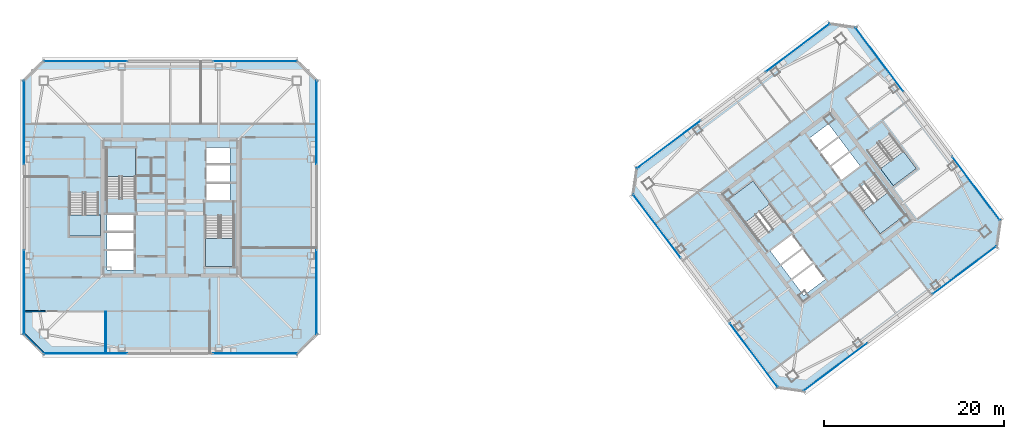
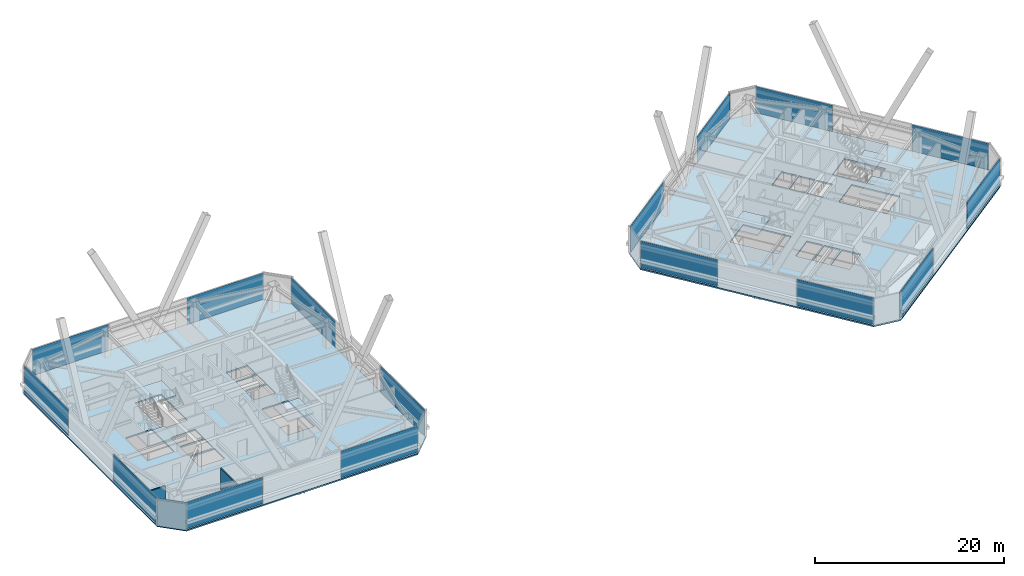
# One storey, part 36 of 47: 16 plates, 8 slabs, 3 walls, 22 elements without a shape of their own.
"""IFC4 building model written with IfcOpenShell, lengths in metres."""

import ifcopenshell
import ifcopenshell.guid

model = None  # the IFC model being written
_history = None  # IfcOwnerHistory: only IFC2X3 demands one
_inside = {}  # id of a spatial element -> (the spatial element, [elements in it])
_under = {}  # id of a project, library or spatial element -> (it, [spatial elements below it])
_declared = {}  # id of a project -> (the project, [libraries it declares])
_typed = {}  # id of a type object -> (the type object, [elements of that type])
_made_of = {}  # id of a material, layer set ... -> (it, [elements and type objects made of it])


def new_model(schema):
    """Start an empty IFC model of exactly this schema.

    Asked for "IFC4X3", IfcOpenShell would pick the latest addendum, in which some entities
    have other attributes; the version numbers below select the first issue.
    IFC2X3 requires an IfcOwnerHistory on every rooted entity: one is made here for all.
    """
    global model, _history
    if schema == "IFC4X3":
        model = ifcopenshell.file(schema_version=(4, 3, 0, 0))
    else:
        model = ifcopenshell.file(schema=schema)
    _inside.clear()
    _under.clear()
    _declared.clear()
    _typed.clear()
    _made_of.clear()
    _history = None
    if model.schema == "IFC2X3":
        org = make("IfcOrganization", Name="unknown")
        user = make(
            "IfcPersonAndOrganization",
            ThePerson=make("IfcPerson", FamilyName="unknown"),
            TheOrganization=org,
        )
        app = make(
            "IfcApplication",
            ApplicationDeveloper=org,
            Version="unknown",
            ApplicationFullName="unknown",
            ApplicationIdentifier="unknown",
        )
        _history = make(
            "IfcOwnerHistory",
            OwningUser=user,
            OwningApplication=app,
            ChangeAction="ADDED",
            CreationDate=0,
        )
    return model


def make(cls, **values):
    """One entity of the class cls with the attributes given. An attribute that is None is left unset."""
    return model.create_entity(
        cls, **{name: value for name, value in values.items() if value is not None}
    )


def rooted(cls, **values):
    """An entity with a GlobalId (a new one), such as an element, a storey or a relation."""
    return make(cls, GlobalId=ifcopenshell.guid.new(), OwnerHistory=_history, **values)


def si_unit(unit_type, name, prefix=None):
    """IfcSIUnit, for example si_unit("LENGTHUNIT", "METRE", prefix="MILLI")."""
    return make("IfcSIUnit", UnitType=unit_type, Prefix=prefix, Name=name)


def assignment(units):
    """IfcUnitAssignment: the units of a project."""
    return None if units is None else make("IfcUnitAssignment", Units=units)


def point(xyz):
    """IfcCartesianPoint."""
    return None if xyz is None else make("IfcCartesianPoint", Coordinates=xyz)


def direction(xyz):
    """IfcDirection."""
    return None if xyz is None else make("IfcDirection", DirectionRatios=xyz)


def frame(location, z_axis=None, x_axis=None):
    """IfcAxis2Placement3D, a coordinate frame: its origin and axes. An axis left out is left unset."""
    return make(
        "IfcAxis2Placement3D",
        Location=point(location),
        Axis=direction(z_axis),
        RefDirection=direction(x_axis),
    )


def frame_2d(location, x_axis=None):
    """IfcAxis2Placement2D, a coordinate frame in the plane: its origin and x axis."""
    return make(
        "IfcAxis2Placement2D", Location=point(location), RefDirection=direction(x_axis)
    )


def origin():
    """The frame at (0, 0, 0) with its axes left unset."""
    return frame((0.0, 0.0, 0.0))


def origin_2d():
    """The frame at (0, 0) in the plane with its x axis left unset."""
    return frame_2d((0.0, 0.0))


def place(relative_to, where):
    """IfcLocalPlacement: puts the frame where relative to a parent placement (None: the world)."""
    return make(
        "IfcLocalPlacement", PlacementRelTo=relative_to, RelativePlacement=where
    )


def context(
    kind, dimensions, precision=None, world=None, true_north=None, identifier=None
):
    """IfcGeometricRepresentationContext, for example the 3D "Model" context."""
    return make(
        "IfcGeometricRepresentationContext",
        ContextIdentifier=identifier,
        ContextType=kind,
        CoordinateSpaceDimension=dimensions,
        Precision=precision,
        WorldCoordinateSystem=world,
        TrueNorth=true_north,
    )


def subcontext(parent, identifier, kind, view, scale=None):
    """IfcGeometricRepresentationSubContext, for example "Body" below "Model"."""
    return make(
        "IfcGeometricRepresentationSubContext",
        ContextIdentifier=identifier,
        ContextType=kind,
        ParentContext=parent,
        TargetScale=scale,
        TargetView=view,
    )


def project(units=None, contexts=None):
    """IfcProject with its units and contexts."""
    return rooted(
        "IfcProject",
        Name="project",
        RepresentationContexts=contexts,
        UnitsInContext=assignment(units),
    )


def spatial(cls, under=None, at=None, **own):
    """A site, building, storey or space (cls), placed at a placement, below another one or the project."""
    s = rooted(cls, ObjectPlacement=at, **own)
    if under is not None:
        _under.setdefault(under.id(), (under, []))[1].append(s)
    return s


def polyline(points):
    """IfcPolyline through the points."""
    return make("IfcPolyline", Points=[point(p) for p in points])


def profile(cls, at=None, kind="AREA", **sizes):
    """A parametric profile (cls). Its sizes go by their IFC names, for example OverallWidth=200.0."""
    return make(cls, ProfileType=kind, Position=at, **sizes)


def rectangle(**sizes):
    """IfcRectangleProfileDef."""
    return profile("IfcRectangleProfileDef", **sizes)


def outline(outer, holes=None, kind="AREA"):
    """IfcArbitraryClosedProfileDef: a profile drawn as a closed curve; with holes, ...WithVoids."""
    if holes is None:
        return make("IfcArbitraryClosedProfileDef", ProfileType=kind, OuterCurve=outer)
    return make(
        "IfcArbitraryProfileDefWithVoids",
        ProfileType=kind,
        OuterCurve=outer,
        InnerCurves=holes,
    )


def extrude(swept, where, along, depth):
    """IfcExtrudedAreaSolid: the profile swept, set in the frame where, extruded along a direction by depth."""
    return make(
        "IfcExtrudedAreaSolid",
        SweptArea=swept,
        Position=where,
        ExtrudedDirection=direction(along),
        Depth=depth,
    )


def shape(context_of_items, identifier, shape_type, items):
    """IfcShapeRepresentation: the items that make up one representation, for example the "Body"."""
    return make(
        "IfcShapeRepresentation",
        ContextOfItems=context_of_items,
        RepresentationIdentifier=identifier,
        RepresentationType=shape_type,
        Items=items,
    )


def material(Name=None, Category=None):
    """IfcMaterial."""
    return make("IfcMaterial", Name=Name, Category=Category)


def layer(
    of_material, thickness, ventilated=None, Name=None, Category=None, Priority=None
):
    """IfcMaterialLayer: one layer of a wall or slab, of a material (None: an air gap)."""
    return make(
        "IfcMaterialLayer",
        Material=of_material,
        LayerThickness=thickness,
        IsVentilated=ventilated,
        Name=Name,
        Category=Category,
        Priority=Priority,
    )


def layer_set(layers, Name=None):
    """IfcMaterialLayerSet."""
    return make("IfcMaterialLayerSet", MaterialLayers=layers, LayerSetName=Name)


def made_of(thing, what):
    """Note that an element or type object is made of a material, layer set ...; save() writes the relation."""
    if what is not None:
        _made_of.setdefault(what.id(), (what, []))[1].append(thing)
    return thing


def type_object(cls, material=None, **own):
    """A type object (cls), such as IfcWallType, which elements share."""
    return made_of(rooted(cls, **own), material)


def element(
    cls,
    number,
    at=None,
    inside=None,
    cuts=None,
    type_object=None,
    material=None,
    context=None,
    identifier="Body",
    shape_type=None,
    held_by="IfcProductDefinitionShape",
    body=None,
    shapes=None,
    **own,
):
    """One element of the class cls, such as IfcWall. Its Tag is "e" and its number.

    at: its placement. inside: the storey or other place that contains it. cuts: it is an
    opening in that element (IfcRelVoidsElement). A single representation is given by context,
    identifier, shape_type and body (its items); several are given by shapes. held_by: the class
    of the entity that holds the representations. save() writes the other relations.
    """
    e = rooted(cls, Tag="e%d" % number, ObjectPlacement=at, **own)
    if body is not None:
        shapes = [shape(context, identifier, shape_type, body)]
    if shapes is not None:
        e.Representation = make(held_by, Representations=shapes)
    if inside is not None:
        _inside.setdefault(inside.id(), (inside, []))[1].append(e)
    if cuts is not None:
        rooted(
            "IfcRelVoidsElement", RelatingBuildingElement=cuts, RelatedOpeningElement=e
        )
    if type_object is not None:
        _typed.setdefault(type_object.id(), (type_object, []))[1].append(e)
    return made_of(e, material)


def aggregate(whole, parts):
    """IfcRelAggregates: a whole, such as a stair, and the parts it consists of."""
    return rooted("IfcRelAggregates", RelatingObject=whole, RelatedObjects=parts)


def save(model, path):
    """Write the relations noted so far, then the file.

    IfcRelAggregates (storeys below a building ...), IfcRelContainedInSpatialStructure (elements
    in a storey), IfcRelDefinesByType, IfcRelAssociatesMaterial and IfcRelDeclares: one each for
    every whole, place, type object, material and project.
    """
    for whole, parts in _under.values():
        aggregate(whole, parts)
    for where, things in _inside.values():
        rooted(
            "IfcRelContainedInSpatialStructure",
            RelatedElements=things,
            RelatingStructure=where,
        )
    for kind, things in _typed.values():
        rooted("IfcRelDefinesByType", RelatedObjects=things, RelatingType=kind)
    for what, things in _made_of.values():
        rooted("IfcRelAssociatesMaterial", RelatedObjects=things, RelatingMaterial=what)
    for by, libraries in _declared.values():
        rooted("IfcRelDeclares", RelatingContext=by, RelatedDefinitions=libraries)
    model.write(path)


model = new_model("IFC4")

# Units and contexts
model_context = context("Model", 3, precision=1e-05, world=origin(), true_north=direction((0.0, 1.0)))
body_context = subcontext(model_context, "Body", "Model", "MODEL_VIEW")
ifc_project = project(units=[si_unit("LENGTHUNIT", "METRE"), si_unit("AREAUNIT", "SQUARE_METRE"), si_unit("VOLUMEUNIT", "CUBIC_METRE"), si_unit("PLANEANGLEUNIT", "RADIAN"), si_unit("MASSUNIT", "GRAM", prefix="KILO")], contexts=[model_context])

# Site, building, storey
site_placement = place(None, origin())
site = spatial("IfcSite", under=ifc_project, at=site_placement, CompositionType="ELEMENT")
building_placement = place(site_placement, origin())
building = spatial("IfcBuilding", under=site, at=building_placement, Name="Tashvorn Skyway Center", CompositionType="ELEMENT")
storey_placement = place(building_placement, frame((0.0, 0.0, 204.199951171875)))
storey = spatial("IfcBuildingStorey", under=building, at=storey_placement, Name="L55", CompositionType="ELEMENT", Elevation=204.199951171875)

# Curtain wall, plate
ifc_material_1 = material(Name="Thermally broken bronze-anodized aluminium 6063-T6", Category="aluminium")
curtain_wall_type = type_object("IfcCurtainWallType", Name="CW-CW-Z5", PredefinedType="NOTDEFINED", material=ifc_material_1)
curtain_wall_1_placement = place(storey_placement, origin())
curtain_wall_1 = element("IfcCurtainWall", 1, at=curtain_wall_1_placement, inside=storey, type_object=curtain_wall_type, Name="Tower 1 L55 South Unitised Curtain Wall Glazing Group 1", PredefinedType="NOTDEFINED")
ifc_material_2 = material(Name="Low-E solar-control double insulating safety glass", Category="glass")
ifc_layer_1 = layer(ifc_material_2, 0.031982421875)
ifc_layer_set_1 = layer_set([ifc_layer_1], Name="Low-E solar-control double insulating safety glass")
plate_type = type_object("IfcPlateType", Name="CWP-CW-Z5", PredefinedType="CURTAIN_PANEL", material=ifc_layer_set_1)
plate_1_placement = place(storey_placement, frame((51.453369140625, 15.719970703125, 0.0703125), z_axis=(0.0, 0.0, 1.0), x_axis=(-1.0, 0.0, 0.0)))
plate_1 = element("IfcPlate", 2, at=plate_1_placement, type_object=plate_type, Name="CW-Z5 panel 1.1", PredefinedType="CURTAIN_PANEL", context=body_context, shape_type="SweptSolid", body=[
    extrude(rectangle(XDim=9.313232421875, YDim=0.031982421875, at=origin_2d()), origin(), (0.0, 0.0, 1.0), 3.409912109375),
])
aggregate(curtain_wall_1, [plate_1])

curtain_wall_2_placement = place(storey_placement, origin())
curtain_wall_2 = element("IfcCurtainWall", 3, at=curtain_wall_2_placement, inside=storey, type_object=curtain_wall_type, Name="Tower 1 L55 South Unitised Curtain Wall Glazing Group 2", PredefinedType="NOTDEFINED")
plate_2_placement = place(storey_placement, frame((32.546630859375, 15.719970703125, 0.0703125), z_axis=(0.0, 0.0, 1.0), x_axis=(-1.0, 0.0, 0.0)))
plate_2 = element("IfcPlate", 4, at=plate_2_placement, type_object=plate_type, Name="CW-Z5 panel 1.1", PredefinedType="CURTAIN_PANEL", context=body_context, shape_type="SweptSolid", body=[
    extrude(rectangle(XDim=9.313232421875, YDim=0.031982421875, at=origin_2d()), origin(), (0.0, 0.0, 1.0), 3.409912109375),
])
aggregate(curtain_wall_2, [plate_2])

curtain_wall_3_placement = place(storey_placement, origin())
curtain_wall_3 = element("IfcCurtainWall", 5, at=curtain_wall_3_placement, inside=storey, type_object=curtain_wall_type, Name="Tower 1 L55 West Unitised Curtain Wall Glazing Group 1", PredefinedType="NOTDEFINED")
plate_3_placement = place(storey_placement, frame((25.719970703125, 22.546630859375, 0.0703125), z_axis=(0.0, 0.0, 1.0), x_axis=(0.0, 1.0, 0.0)))
plate_3 = element("IfcPlate", 6, at=plate_3_placement, type_object=plate_type, Name="CW-Z5 panel 1.1", PredefinedType="CURTAIN_PANEL", context=body_context, shape_type="SweptSolid", body=[
    extrude(rectangle(XDim=9.313232421875, YDim=0.031982421875, at=origin_2d()), origin(), (0.0, 0.0, 1.0), 3.409912109375),
])
aggregate(curtain_wall_3, [plate_3])

curtain_wall_4_placement = place(storey_placement, origin())
curtain_wall_4 = element("IfcCurtainWall", 7, at=curtain_wall_4_placement, inside=storey, type_object=curtain_wall_type, Name="Tower 1 L55 West Unitised Curtain Wall Glazing Group 2", PredefinedType="NOTDEFINED")
plate_4_placement = place(storey_placement, frame((25.719970703125, 41.453369140625, 0.0703125), z_axis=(0.0, 0.0, 1.0), x_axis=(0.0, 1.0, 0.0)))
plate_4 = element("IfcPlate", 8, at=plate_4_placement, type_object=plate_type, Name="CW-Z5 panel 1.1", PredefinedType="CURTAIN_PANEL", context=body_context, shape_type="SweptSolid", body=[
    extrude(rectangle(XDim=9.313232421875, YDim=0.031982421875, at=origin_2d()), origin(), (0.0, 0.0, 1.0), 3.409912109375),
])
aggregate(curtain_wall_4, [plate_4])

curtain_wall_5_placement = place(storey_placement, origin())
curtain_wall_5 = element("IfcCurtainWall", 9, at=curtain_wall_5_placement, inside=storey, type_object=curtain_wall_type, Name="Tower 1 L55 North Unitised Curtain Wall Glazing Group 1", PredefinedType="NOTDEFINED")
plate_5_placement = place(storey_placement, frame((32.546630859375, 48.280029296875, 0.0703125), z_axis=(0.0, 0.0, 1.0), x_axis=(1.0, 0.0, 0.0)))
plate_5 = element("IfcPlate", 10, at=plate_5_placement, type_object=plate_type, Name="CW-Z5 panel 1.1", PredefinedType="CURTAIN_PANEL", context=body_context, shape_type="SweptSolid", body=[
    extrude(rectangle(XDim=9.313232421875, YDim=0.031982421875, at=origin_2d()), origin(), (0.0, 0.0, 1.0), 3.409912109375),
])
aggregate(curtain_wall_5, [plate_5])

curtain_wall_6_placement = place(storey_placement, origin())
curtain_wall_6 = element("IfcCurtainWall", 11, at=curtain_wall_6_placement, inside=storey, type_object=curtain_wall_type, Name="Tower 1 L55 North Unitised Curtain Wall Glazing Group 2", PredefinedType="NOTDEFINED")
plate_6_placement = place(storey_placement, frame((51.453369140625, 48.280029296875, 0.0703125), z_axis=(0.0, 0.0, 1.0), x_axis=(1.0, 0.0, 0.0)))
plate_6 = element("IfcPlate", 12, at=plate_6_placement, type_object=plate_type, Name="CW-Z5 panel 1.1", PredefinedType="CURTAIN_PANEL", context=body_context, shape_type="SweptSolid", body=[
    extrude(rectangle(XDim=9.313232421875, YDim=0.031982421875, at=origin_2d()), origin(), (0.0, 0.0, 1.0), 3.409912109375),
])
aggregate(curtain_wall_6, [plate_6])

curtain_wall_7_placement = place(storey_placement, origin())
curtain_wall_7 = element("IfcCurtainWall", 13, at=curtain_wall_7_placement, inside=storey, type_object=curtain_wall_type, Name="Tower 1 L55 East Unitised Curtain Wall Glazing Group 1", PredefinedType="NOTDEFINED")
plate_7_placement = place(storey_placement, frame((58.280029296875, 41.453369140625, 0.0703125), z_axis=(0.0, 0.0, 1.0), x_axis=(0.0, -1.0, 0.0)))
plate_7 = element("IfcPlate", 14, at=plate_7_placement, type_object=plate_type, Name="CW-Z5 panel 1.1", PredefinedType="CURTAIN_PANEL", context=body_context, shape_type="SweptSolid", body=[
    extrude(rectangle(XDim=9.313232421875, YDim=0.031982421875, at=origin_2d()), origin(), (0.0, 0.0, 1.0), 3.409912109375),
])
aggregate(curtain_wall_7, [plate_7])

curtain_wall_8_placement = place(storey_placement, origin())
curtain_wall_8 = element("IfcCurtainWall", 15, at=curtain_wall_8_placement, inside=storey, type_object=curtain_wall_type, Name="Tower 1 L55 East Unitised Curtain Wall Glazing Group 2", PredefinedType="NOTDEFINED")
plate_8_placement = place(storey_placement, frame((58.280029296875, 22.546630859375, 0.0703125), z_axis=(0.0, 0.0, 1.0), x_axis=(0.0, -1.0, 0.0)))
plate_8 = element("IfcPlate", 16, at=plate_8_placement, type_object=plate_type, Name="CW-Z5 panel 1.1", PredefinedType="CURTAIN_PANEL", context=body_context, shape_type="SweptSolid", body=[
    extrude(rectangle(XDim=9.313232421875, YDim=0.031982421875, at=origin_2d()), origin(), (0.0, 0.0, 1.0), 3.409912109375),
])
aggregate(curtain_wall_8, [plate_8])

curtain_wall_9_placement = place(storey_placement, origin())
curtain_wall_9 = element("IfcCurtainWall", 17, at=curtain_wall_9_placement, inside=storey, type_object=curtain_wall_type, Name="Tower 2 L55 South Unitised Curtain Wall Glazing Group 1", PredefinedType="NOTDEFINED")
plate_9_placement = place(storey_placement, frame((130.477294921875, 25.008056640625, 0.0703125), z_axis=(0.0, 0.0, 1.0), x_axis=(-0.799998664683, -0.600001780418, 0.0)))
plate_9 = element("IfcPlate", 18, at=plate_9_placement, type_object=plate_type, Name="CW-Z5 panel 1.1", PredefinedType="CURTAIN_PANEL", context=body_context, shape_type="SweptSolid", body=[
    extrude(rectangle(XDim=8.8466796875, YDim=0.031982421875, at=origin_2d()), origin(), (0.0, 0.0, 1.0), 3.409912109375),
])
aggregate(curtain_wall_9, [plate_9])

curtain_wall_10_placement = place(storey_placement, origin())
curtain_wall_10 = element("IfcCurtainWall", 19, at=curtain_wall_10_placement, inside=storey, type_object=curtain_wall_type, Name="Tower 2 L55 South Unitised Curtain Wall Glazing Group 2", PredefinedType="NOTDEFINED")
plate_10_placement = place(storey_placement, frame((116.0986328125, 14.22412109375, 0.0703125), z_axis=(0.0, 0.0, 1.0), x_axis=(-0.799998664683, -0.600001780418, 0.0)))
plate_10 = element("IfcPlate", 20, at=plate_10_placement, type_object=plate_type, Name="CW-Z5 panel 1.1", PredefinedType="CURTAIN_PANEL", context=body_context, shape_type="SweptSolid", body=[
    extrude(rectangle(XDim=8.8466796875, YDim=0.031982421875, at=origin_2d()), origin(), (0.0, 0.0, 1.0), 3.409912109375),
])
aggregate(curtain_wall_10, [plate_10])

curtain_wall_11_placement = place(storey_placement, origin())
curtain_wall_11 = element("IfcCurtainWall", 21, at=curtain_wall_11_placement, inside=storey, type_object=curtain_wall_type, Name="Tower 2 L55 West Unitised Curtain Wall Glazing Group 1", PredefinedType="NOTDEFINED")
plate_11_placement = place(storey_placement, frame((107.008056640625, 15.522705078125, 0.0703125), z_axis=(0.0, 0.0, 1.0), x_axis=(-0.600001780418, 0.799998664683, 0.0)))
plate_11 = element("IfcPlate", 22, at=plate_11_placement, type_object=plate_type, Name="CW-Z5 panel 1.1", PredefinedType="CURTAIN_PANEL", context=body_context, shape_type="SweptSolid", body=[
    extrude(rectangle(XDim=8.8466796875, YDim=0.031982421875, at=origin_2d()), origin(), (0.0, 0.0, 1.0), 3.409912109375),
])
aggregate(curtain_wall_11, [plate_11])

curtain_wall_12_placement = place(storey_placement, origin())
curtain_wall_12 = element("IfcCurtainWall", 23, at=curtain_wall_12_placement, inside=storey, type_object=curtain_wall_type, Name="Tower 2 L55 West Unitised Curtain Wall Glazing Group 2", PredefinedType="NOTDEFINED")
plate_12_placement = place(storey_placement, frame((96.22412109375, 29.9013671875, 0.0703125), z_axis=(0.0, 0.0, 1.0), x_axis=(-0.600001780418, 0.799998664683, 0.0)))
plate_12 = element("IfcPlate", 24, at=plate_12_placement, type_object=plate_type, Name="CW-Z5 panel 1.1", PredefinedType="CURTAIN_PANEL", context=body_context, shape_type="SweptSolid", body=[
    extrude(rectangle(XDim=8.8466796875, YDim=0.031982421875, at=origin_2d()), origin(), (0.0, 0.0, 1.0), 3.409912109375),
])
aggregate(curtain_wall_12, [plate_12])

curtain_wall_13_placement = place(storey_placement, origin())
curtain_wall_13 = element("IfcCurtainWall", 25, at=curtain_wall_13_placement, inside=storey, type_object=curtain_wall_type, Name="Tower 2 L55 North Unitised Curtain Wall Glazing Group 1", PredefinedType="NOTDEFINED")
plate_13_placement = place(storey_placement, frame((97.522705078125, 38.991943359375, 0.0703125), z_axis=(0.0, 0.0, 1.0), x_axis=(0.799998664683, 0.600001780418, 0.0)))
plate_13 = element("IfcPlate", 26, at=plate_13_placement, type_object=plate_type, Name="CW-Z5 panel 1.1", PredefinedType="CURTAIN_PANEL", context=body_context, shape_type="SweptSolid", body=[
    extrude(rectangle(XDim=8.8466796875, YDim=0.031982421875, at=origin_2d()), origin(), (0.0, 0.0, 1.0), 3.409912109375),
])
aggregate(curtain_wall_13, [plate_13])

curtain_wall_14_placement = place(storey_placement, origin())
curtain_wall_14 = element("IfcCurtainWall", 27, at=curtain_wall_14_placement, inside=storey, type_object=curtain_wall_type, Name="Tower 2 L55 North Unitised Curtain Wall Glazing Group 2", PredefinedType="NOTDEFINED")
plate_14_placement = place(storey_placement, frame((111.9013671875, 49.77587890625, 0.0703125), z_axis=(0.0, 0.0, 1.0), x_axis=(0.799998664683, 0.600001780418, 0.0)))
plate_14 = element("IfcPlate", 28, at=plate_14_placement, type_object=plate_type, Name="CW-Z5 panel 1.1", PredefinedType="CURTAIN_PANEL", context=body_context, shape_type="SweptSolid", body=[
    extrude(rectangle(XDim=8.8466796875, YDim=0.031982421875, at=origin_2d()), origin(), (0.0, 0.0, 1.0), 3.409912109375),
])
aggregate(curtain_wall_14, [plate_14])

curtain_wall_15_placement = place(storey_placement, origin())
curtain_wall_15 = element("IfcCurtainWall", 29, at=curtain_wall_15_placement, inside=storey, type_object=curtain_wall_type, Name="Tower 2 L55 East Unitised Curtain Wall Glazing Group 1", PredefinedType="NOTDEFINED")
plate_15_placement = place(storey_placement, frame((120.991943359375, 48.477294921875, 0.0703125), z_axis=(0.0, 0.0, 1.0), x_axis=(0.600001780418, -0.799998664683, 0.0)))
plate_15 = element("IfcPlate", 30, at=plate_15_placement, type_object=plate_type, Name="CW-Z5 panel 1.1", PredefinedType="CURTAIN_PANEL", context=body_context, shape_type="SweptSolid", body=[
    extrude(rectangle(XDim=8.8466796875, YDim=0.031982421875, at=origin_2d()), origin(), (0.0, 0.0, 1.0), 3.409912109375),
])
aggregate(curtain_wall_15, [plate_15])

curtain_wall_16_placement = place(storey_placement, origin())
curtain_wall_16 = element("IfcCurtainWall", 31, at=curtain_wall_16_placement, inside=storey, type_object=curtain_wall_type, Name="Tower 2 L55 East Unitised Curtain Wall Glazing Group 2", PredefinedType="NOTDEFINED")
plate_16_placement = place(storey_placement, frame((131.77587890625, 34.0986328125, 0.0703125), z_axis=(0.0, 0.0, 1.0), x_axis=(0.600001780418, -0.799998664683, 0.0)))
plate_16 = element("IfcPlate", 32, at=plate_16_placement, type_object=plate_type, Name="CW-Z5 panel 1.1", PredefinedType="CURTAIN_PANEL", context=body_context, shape_type="SweptSolid", body=[
    extrude(rectangle(XDim=8.8466796875, YDim=0.031982421875, at=origin_2d()), origin(), (0.0, 0.0, 1.0), 3.409912109375),
])
aggregate(curtain_wall_16, [plate_16])

# Slabs
ifc_material_3 = material(Name="Concrete C40/50", Category="concrete")
ifc_layer_2 = layer(ifc_material_3, 0.179931640625)
ifc_layer_set_2 = layer_set([ifc_layer_2], Name="Concrete C40/50")
slab_type_1 = type_object("IfcSlabType", Name="SLAB-FLR-180", PredefinedType="FLOOR", material=ifc_layer_set_2)
slab_1_placement = place(storey_placement, frame((0.0, 0.0, -0.179931640625)))
element("IfcSlab", 33, at=slab_1_placement, inside=storey, type_object=slab_type_1, Name="Tower 1 L55 Composite Floor Slab", PredefinedType="FLOOR", context=body_context, shape_type="SweptSolid", body=[
    extrude(outline(polyline([(27.89990234375, 15.60009765625), (56.10009765625, 15.60009765625), (58.39990234375, 17.89990234375), (58.39990234375, 46.10009765625), (56.10009765625, 48.39990234375), (27.89990234375, 48.39990234375), (25.60009765625, 46.10009765625), (25.60009765625, 17.89990234375), (27.89990234375, 15.60009765625)]), holes=[polyline([(38.10009765625, 33.080078125), (38.10009765625, 38.60009765625), (34.89990234375, 38.60009765625), (34.89990234375, 33.080078125), (38.10009765625, 33.080078125)]), polyline([(45.89990234375, 30.919921875), (45.89990234375, 25.39990234375), (49.10009765625, 25.39990234375), (49.10009765625, 30.919921875), (45.89990234375, 30.919921875)]), polyline([(30.800048828125, 33.52001953125), (30.800048828125, 28.800048828125), (34.0, 28.800048828125), (34.0, 33.52001953125), (30.800048828125, 33.52001953125)]), polyline([(34.949951171875, 29.35009765625), (37.949951171875, 29.35009765625), (37.949951171875, 31.199951171875), (34.949951171875, 31.199951171875), (34.949951171875, 29.35009765625)]), polyline([(34.949951171875, 27.35009765625), (37.949951171875, 27.35009765625), (37.949951171875, 29.199951171875), (34.949951171875, 29.199951171875), (34.949951171875, 27.35009765625)]), polyline([(34.949951171875, 25.0), (37.949951171875, 25.0), (37.949951171875, 27.14990234375), (34.949951171875, 27.14990234375), (34.949951171875, 25.0)]), polyline([(46.050048828125, 32.800048828125), (48.64990234375, 32.800048828125), (48.64990234375, 34.64990234375), (46.050048828125, 34.64990234375), (46.050048828125, 32.800048828125)]), polyline([(46.050048828125, 34.85009765625), (48.64990234375, 34.85009765625), (48.64990234375, 36.699951171875), (46.050048828125, 36.699951171875), (46.050048828125, 34.85009765625)]), polyline([(46.050048828125, 36.89990234375), (48.64990234375, 36.89990234375), (48.64990234375, 38.64990234375), (46.050048828125, 38.64990234375), (46.050048828125, 36.89990234375)])]), origin(), (0.0, 0.0, 1.0), 0.179931640625),
])
slab_2_placement = place(storey_placement, frame((0.0, 0.0, -0.179931640625)))
element("IfcSlab", 34, at=slab_2_placement, inside=storey, type_object=slab_type_1, Name="Tower 2 L55 Composite Floor Slab", PredefinedType="FLOOR", context=body_context, shape_type="SweptSolid", body=[
    extrude(outline(polyline([(112.639892578125, 11.47998046875), (134.080078125, 27.56005859375), (134.52001953125, 30.639892578125), (118.43994140625, 52.080078125), (115.360107421875, 52.52001953125), (93.919921875, 36.43994140625), (93.47998046875, 33.360107421875), (109.56005859375, 11.919921875), (112.639892578125, 11.47998046875)]), holes=[polyline([(110.23193359375, 30.52392578125), (106.919921875, 34.93994140625), (104.135986328125, 32.85205078125), (107.447998046875, 28.43603515625), (110.23193359375, 30.52392578125)]), polyline([(117.76806640625, 33.47607421875), (121.080078125, 29.06005859375), (123.864013671875, 31.14794921875), (120.552001953125, 35.56396484375), (117.76806640625, 33.47607421875)]), polyline([(119.7119140625, 38.18408203125), (122.5439453125, 34.407958984375), (125.10400390625, 36.327880859375), (122.27197265625, 40.10400390625), (119.7119140625, 38.18408203125)]), polyline([(109.949951171875, 25.64990234375), (112.35009765625, 27.449951171875), (111.239990234375, 28.929931640625), (108.840087890625, 27.1298828125), (109.949951171875, 25.64990234375)]), polyline([(111.14990234375, 24.050048828125), (113.550048828125, 25.85009765625), (112.43994140625, 27.330078125), (110.0400390625, 25.530029296875), (111.14990234375, 24.050048828125)]), polyline([(112.56005859375, 22.169921875), (114.9599609375, 23.969970703125), (113.669921875, 25.68994140625), (111.27001953125, 23.889892578125), (112.56005859375, 22.169921875)]), polyline([(116.760009765625, 35.070068359375), (118.840087890625, 36.6298828125), (117.72998046875, 38.110107421875), (115.64990234375, 36.550048828125), (116.760009765625, 35.070068359375)]), polyline([(115.530029296875, 36.7099609375), (117.610107421875, 38.27001953125), (116.5, 39.75), (114.419921875, 38.18994140625), (115.530029296875, 36.7099609375)]), polyline([(114.300048828125, 38.35009765625), (116.3798828125, 39.909912109375), (115.330078125, 41.31005859375), (113.25, 39.75), (114.300048828125, 38.35009765625)])]), origin(), (0.0, 0.0, 1.0), 0.179931640625),
])

# Stair, slab
stair_type = type_object("IfcStairType", Name="STAIR-CORE-1500", PredefinedType="HALF_TURN_STAIR", material=ifc_material_3)
stair_1_placement = place(storey_placement, origin())
stair_1 = element("IfcStair", 35, at=stair_1_placement, inside=storey, type_object=stair_type, Name="L55 Tower 1 Exit Stair 1", PredefinedType="HALF_TURN_STAIR")
ifc_layer_3 = layer(ifc_material_3, 0.199951171875)
ifc_layer_set_3 = layer_set([ifc_layer_3], Name="Concrete C40/50")
slab_type_2 = type_object("IfcSlabType", Name="SLAB-LAND-200", PredefinedType="LANDING", material=ifc_layer_set_3)
slab_3_placement = place(storey_placement, frame((0.0, 0.0, 1.574951171875)))
slab_3 = element("IfcSlab", 36, at=slab_3_placement, type_object=slab_type_2, Name="ST-T1-1 landing 1", PredefinedType="LANDING", context=body_context, shape_type="SweptSolid", body=[
    extrude(outline(polyline([(38.10009765625, 35.43994140625), (38.10009765625, 38.60009765625), (34.89990234375, 38.60009765625), (34.89990234375, 35.43994140625), (38.10009765625, 35.43994140625)])), origin(), (0.0, 0.0, 1.0), 0.2001953125),
])
aggregate(stair_1, [slab_3])

stair_2_placement = place(storey_placement, origin())
stair_2 = element("IfcStair", 37, at=stair_2_placement, inside=storey, type_object=stair_type, Name="L55 Tower 1 Exit Stair 2", PredefinedType="HALF_TURN_STAIR")
slab_4_placement = place(storey_placement, frame((0.0, 0.0, 1.574951171875)))
slab_4 = element("IfcSlab", 38, at=slab_4_placement, type_object=slab_type_2, Name="ST-T1-2 landing 1", PredefinedType="LANDING", context=body_context, shape_type="SweptSolid", body=[
    extrude(outline(polyline([(45.89990234375, 28.56005859375), (45.89990234375, 25.39990234375), (49.10009765625, 25.39990234375), (49.10009765625, 28.56005859375), (45.89990234375, 28.56005859375)])), origin(), (0.0, 0.0, 1.0), 0.2001953125),
])
aggregate(stair_2, [slab_4])

stair_3_placement = place(storey_placement, origin())
stair_3 = element("IfcStair", 39, at=stair_3_placement, inside=storey, type_object=stair_type, Name="L55 Tower 2 Exit Stair 1", PredefinedType="HALF_TURN_STAIR")
slab_5_placement = place(storey_placement, frame((0.0, 0.0, 1.574951171875)))
slab_5 = element("IfcSlab", 40, at=slab_5_placement, type_object=slab_type_2, Name="ST-T2-1 landing 1", PredefinedType="LANDING", context=body_context, shape_type="SweptSolid", body=[
    extrude(outline(polyline([(108.82080078125, 32.405517578125), (106.919921875, 34.93994140625), (104.135986328125, 32.85205078125), (106.036865234375, 30.317626953125), (108.82080078125, 32.405517578125)])), origin(), (0.0, 0.0, 1.0), 0.2001953125),
])
aggregate(stair_3, [slab_5])

stair_4_placement = place(storey_placement, origin())
stair_4 = element("IfcStair", 41, at=stair_4_placement, inside=storey, type_object=stair_type, Name="L55 Tower 2 Exit Stair 2", PredefinedType="HALF_TURN_STAIR")
slab_6_placement = place(storey_placement, frame((0.0, 0.0, 1.574951171875)))
slab_6 = element("IfcSlab", 42, at=slab_6_placement, type_object=slab_type_2, Name="ST-T2-2 landing 1", PredefinedType="LANDING", context=body_context, shape_type="SweptSolid", body=[
    extrude(outline(polyline([(119.17919921875, 31.594482421875), (121.080078125, 29.06005859375), (123.864013671875, 31.14794921875), (121.963134765625, 33.682373046875), (119.17919921875, 31.594482421875)])), origin(), (0.0, 0.0, 1.0), 0.2001953125),
])
aggregate(stair_4, [slab_6])

stair_5_placement = place(storey_placement, origin())
stair_5 = element("IfcStair", 43, at=stair_5_placement, inside=storey, type_object=stair_type, Name="L55 Tower 1 Exit Stair 3", PredefinedType="HALF_TURN_STAIR")
slab_7_placement = place(storey_placement, frame((0.0, 0.0, 1.574951171875)))
slab_7 = element("IfcSlab", 44, at=slab_7_placement, type_object=slab_type_2, Name="ST-T1-3 landing 1", PredefinedType="LANDING", context=body_context, shape_type="SweptSolid", body=[
    extrude(outline(polyline([(30.800048828125, 31.159912109375), (30.800048828125, 28.800048828125), (34.199951171875, 28.800048828125), (34.199951171875, 31.159912109375), (30.800048828125, 31.159912109375)])), origin(), (0.0, 0.0, 1.0), 0.2001953125),
])
aggregate(stair_5, [slab_7])

stair_6_placement = place(storey_placement, origin())
stair_6 = element("IfcStair", 45, at=stair_6_placement, inside=storey, type_object=stair_type, Name="L55 Tower 2 Exit Stair 3", PredefinedType="HALF_TURN_STAIR")
slab_8_placement = place(storey_placement, frame((0.0, 0.0, 1.574951171875)))
slab_8 = element("IfcSlab", 46, at=slab_8_placement, type_object=slab_type_2, Name="ST-T2-3 landing 1", PredefinedType="LANDING", context=body_context, shape_type="SweptSolid", body=[
    extrude(outline(polyline([(121.123291015625, 36.302490234375), (122.5439453125, 34.407958984375), (125.10400390625, 36.327880859375), (123.68310546875, 38.222412109375), (121.123291015625, 36.302490234375)])), origin(), (0.0, 0.0, 1.0), 0.2001953125),
])
aggregate(stair_6, [slab_8])

# Walls
ifc_material_4 = material(Name="Precast concrete C40/50", Category="concrete")
ifc_layer_4 = layer(ifc_material_4, 0.280029296875)
ifc_layer_set_4 = layer_set([ifc_layer_4], Name="Precast concrete C40/50")
wall_type_1 = type_object("IfcWallType", Name="WALL-EXT-280", PredefinedType="SOLIDWALL", material=ifc_layer_set_4)
wall_1_placement = place(storey_placement, frame((27.89990234375, 15.699951171875, 0.0), z_axis=(0.0, 0.0, 1.0), x_axis=(-0.707106781187, 0.707106781187, 0.0)))
element("IfcWall", 47, at=wall_1_placement, inside=storey, type_object=wall_type_1, Name="Tower 1 L55 SW Precast Chamfer Wall", PredefinedType="SOLIDWALL", context=body_context, shape_type="SweptSolid", body=[
    extrude(rectangle(XDim=3.111083984375, YDim=0.280029296875, at=frame_2d((1.5556640625, 0.0))), origin(), (0.0, 0.0, 1.0), 3.3701171875),
])
ifc_material_5 = material(Name="Gypsum board on cold-formed steel stud framing", Category="steel")
ifc_layer_5 = layer(ifc_material_5, 0.110107421875)
ifc_layer_set_5 = layer_set([ifc_layer_5], Name="Gypsum board on cold-formed steel stud framing")
wall_type_2 = type_object("IfcWallType", Name="WALL-PART-110", PredefinedType="PARTITIONING", material=ifc_layer_set_5)
wall_2_placement = place(storey_placement, frame((34.800048828125, 15.719970703125, 0.0), z_axis=(0.0, 0.0, 1.0), x_axis=(0.0, 1.0, 0.0)))
element("IfcWall", 48, at=wall_2_placement, inside=storey, type_object=wall_type_2, Name="Tower 1 L55 South Suite Partition 1", PredefinedType="PARTITIONING", context=body_context, shape_type="SweptSolid", body=[
    extrude(rectangle(XDim=4.630126953125, YDim=0.110107421875, at=frame_2d((2.31494140625, 0.0))), origin(), (0.0, 0.0, 1.0), 2.72314453125),
])
ifc_layer_6 = layer(ifc_material_5, 0.135009765625)
ifc_layer_set_6 = layer_set([ifc_layer_6], Name="Gypsum board on cold-formed steel stud framing")
wall_type_3 = type_object("IfcWallType", Name="WALL-PART-135", PredefinedType="PARTITIONING", material=ifc_layer_set_6)
wall_3_placement = place(storey_placement, frame((25.719970703125, 20.429931640625, 0.0), z_axis=(0.0, 0.0, 1.0), x_axis=(1.0, 0.0, 0.0)))
element("IfcWall", 49, at=wall_3_placement, inside=storey, type_object=wall_type_3, Name="Tower 1 L55 South-West Suite North Wall", PredefinedType="PARTITIONING", context=body_context, shape_type="SweptSolid", body=[
    extrude(rectangle(XDim=2.330078125, YDim=0.135009765625, at=frame_2d((1.1650390625, 0.0))), origin(), (0.0, 0.0, 1.0), 2.72314453125),
])

save(model, "model.ifc")
